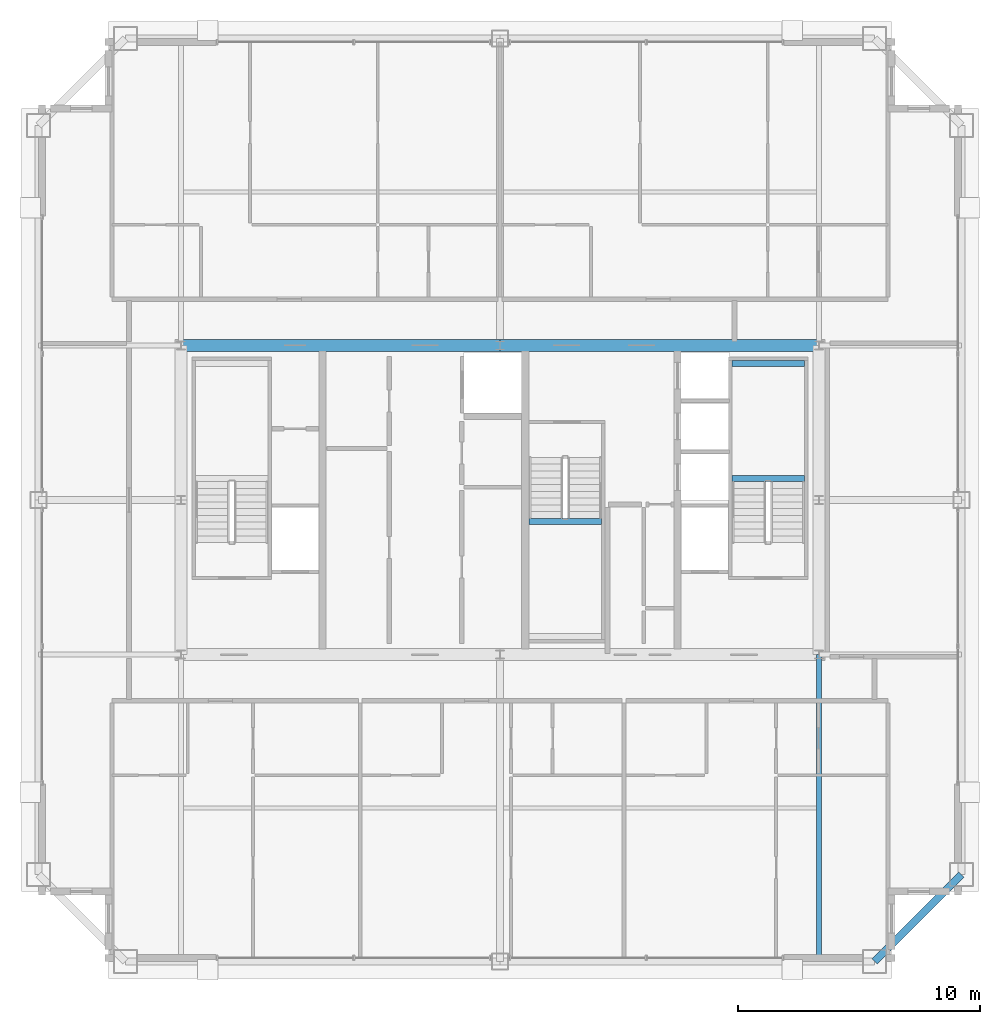
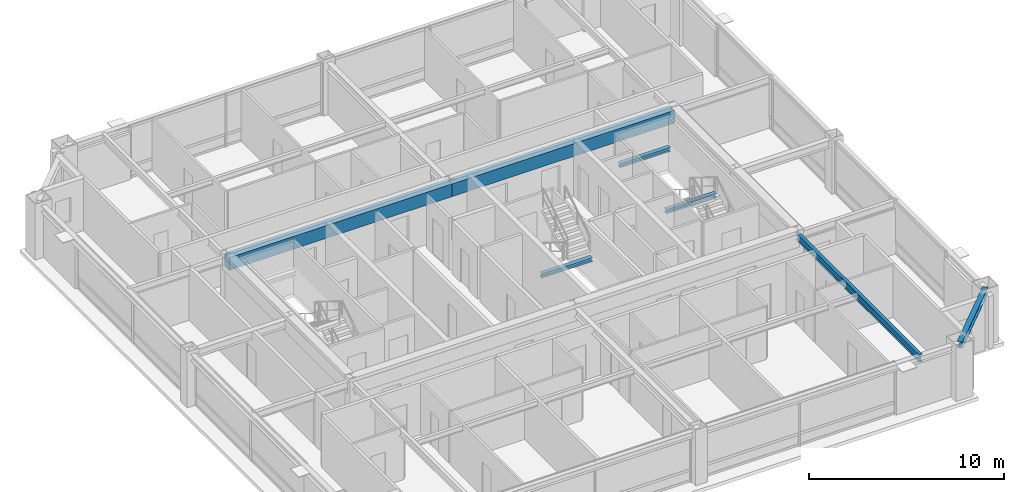
# One storey, part 13 of 35: 7 beams.
"""IFC4 building model written with IfcOpenShell, lengths in metres."""

from ifc_helpers import new_model, si_unit, direction, frame, origin, origin_2d, place, context, subcontext, project, spatial, rectangle, i_section, extrude, source, transform, mapped, material, material_profile, profile_set, type_object, element, save


model = new_model("IFC4")

# Units and contexts
model_context = context("Model", 3, precision=1e-05, world=origin(), true_north=direction((0.0, 1.0)))
body_context = subcontext(model_context, "Body", "Model", "MODEL_VIEW")
ifc_project = project(units=[si_unit("LENGTHUNIT", "METRE"), si_unit("AREAUNIT", "SQUARE_METRE"), si_unit("VOLUMEUNIT", "CUBIC_METRE"), si_unit("PLANEANGLEUNIT", "RADIAN"), si_unit("MASSUNIT", "GRAM", prefix="KILO"), si_unit("THERMODYNAMICTEMPERATUREUNIT", "KELVIN"), si_unit("POWERUNIT", "WATT")], contexts=[model_context])

# Site, building, storey
site_placement = place(None, origin())
site = spatial("IfcSite", under=ifc_project, at=site_placement, CompositionType="ELEMENT")
building_placement = place(site_placement, origin())
building = spatial("IfcBuilding", under=site, at=building_placement, Name="Yuzanri Waterfront Tower", CompositionType="ELEMENT")
storey_placement = place(building_placement, frame((0.0, 0.0, 318.199951171875)))
storey = spatial("IfcBuildingStorey", under=building, at=storey_placement, Name="L85", CompositionType="ELEMENT", Elevation=318.199951171875)

# Beams
ifc_material_1 = material(Name="Concrete C50", Category="concrete")
ifc_material_profile_1 = material_profile(ifc_material_1, rectangle(XDim=0.5, YDim=0.800048828125, at=origin_2d()), Name="RC 500x800")
ifc_profile_set_1 = profile_set([ifc_material_profile_1], Name="Concrete C50")
beam_type_1 = type_object("IfcBeamType", Name="Core Coupling Lintel Concrete C50 500x800", PredefinedType="LINTEL", material=ifc_profile_set_1)
shared_shape_1 = source(origin(), body_context, "Body", "SweptSolid", [
    extrude(rectangle(XDim=0.5, YDim=0.800048828125, at=origin_2d()), origin(), (0.0, 0.0, 1.0), 13.199951171875),
])
for number, where, z_axis, x_axis, name in (
    (1, (23.800048828125, 32.199951171875, 2.880126953125), (1.0, 0.0, 0.0), (0.0, 1.0, 0.0), "L85 Core Tie Beam CN1"),
    (2, (37.0, 32.199951171875, 2.880126953125), (1.0, 0.0, 0.0), (0.0, 1.0, 0.0), "L85 Core Tie Beam CN2"),
):
    element("IfcBeam", number, at=place(storey_placement, frame(where, z_axis=z_axis, x_axis=x_axis)), inside=storey, type_object=beam_type_1, Name=name, PredefinedType="LINTEL", context=body_context, shape_type="MappedRepresentation", body=[
        mapped(shared_shape_1, transform((0.0, 0.0, 0.0), scale=1.0)),
    ])
ifc_material_2 = material(Name="Steel Q355B", Category="steel")
ifc_material_profile_2 = material_profile(ifc_material_2, i_section(OverallWidth=0.300048828125, OverallDepth=0.389892578125, WebThickness=0.010009765625, FlangeThickness=0.01611328125, at=origin_2d()), Name="HM 390x300x10x16")
ifc_profile_set_2 = profile_set([ifc_material_profile_2], Name="Steel Q355B")
beam_type_2 = type_object("IfcBeamType", Name="Perimeter Spandrel Q355B HM 390x300", PredefinedType="SPANDREL", material=ifc_profile_set_2)
shared_shape_2 = source(origin(), body_context, "Body", "SweptSolid", [
    extrude(i_section(OverallWidth=0.300048828125, OverallDepth=0.389892578125, WebThickness=0.010009765625, FlangeThickness=0.01611328125, at=origin_2d()), origin(), (0.0, 0.0, 1.0), 5.09130859375),
])
beam_1_placement = place(storey_placement, frame((52.5, 6.699951171875, 3.0849609375), z_axis=(0.707106781187, 0.707106781187, 0.0), x_axis=(-0.707106781187, 0.707106781187, 0.0)))
element("IfcBeam", 3, at=beam_1_placement, inside=storey, type_object=beam_type_2, Name="L85 Perimeter Spandrel S3-E1", PredefinedType="SPANDREL", context=body_context, shape_type="MappedRepresentation", body=[
    mapped(shared_shape_2, transform((0.0, 0.0, 0.0), scale=1.0)),
])
ifc_material_3 = material(Name="Steel Q355B", Category="steel")
ifc_material_profile_3 = material_profile(ifc_material_3, i_section(OverallWidth=0.199951171875, OverallDepth=0.449951171875, WebThickness=0.009033203125, FlangeThickness=0.013916015625, at=origin_2d()), Name="HN 450x200x9x14")
ifc_profile_set_3 = profile_set([ifc_material_profile_3], Name="Steel Q355B")
beam_type_3 = type_object("IfcBeamType", Name="Secondary Floor Beam Q355B HN 450x200", PredefinedType="BEAM", material=ifc_profile_set_3)
shared_shape_3 = source(origin(), body_context, "Body", "SweptSolid", [
    extrude(i_section(OverallWidth=0.199951171875, OverallDepth=0.449951171875, WebThickness=0.009033203125, FlangeThickness=0.013916015625, at=origin_2d()), origin(), (0.0, 0.0, 1.0), 12.699951171875),
])
beam_2_placement = place(storey_placement, frame((50.199951171875, 19.39990234375, 3.054931640625), z_axis=(0.0, -1.0, 0.0), x_axis=(1.0, 0.0, 0.0)))
element("IfcBeam", 4, at=beam_2_placement, inside=storey, type_object=beam_type_3, Name="L85 South-East Core Line Beam", PredefinedType="BEAM", context=body_context, shape_type="MappedRepresentation", body=[
    mapped(shared_shape_3, transform((0.0, 0.0, 0.0), scale=1.0)),
])
ifc_material_4 = material(Name="Steel Q355B", Category="steel")
ifc_material_profile_4 = material_profile(ifc_material_4, i_section(OverallWidth=0.25, OverallDepth=0.25, WebThickness=0.009033203125, FlangeThickness=0.013916015625, at=origin_2d()), Name="HW 250x250x9x14")
ifc_profile_set_4 = profile_set([ifc_material_profile_4], Name="Steel Q355B")
beam_type_4 = type_object("IfcBeamType", Name="Stair Landing Support Beam Q355B HW 250x250", PredefinedType="BEAM", material=ifc_profile_set_4)
shared_shape_4 = source(origin(), body_context, "Body", "SweptSolid", [
    extrude(i_section(OverallWidth=0.25, OverallDepth=0.25, WebThickness=0.009033203125, FlangeThickness=0.013916015625, at=origin_2d()), origin(), (0.0, 0.0, 1.0), 3.0),
])
for number, where, z_axis, x_axis, name in (
    (5, (46.60009765625, 26.68994140625, 1.425048828125), (1.0, 0.0, 0.0), (0.0, 1.0, 0.0), "L85 Stair Landing Support Beam ST-02-L85-L1-1"),
    (6, (46.60009765625, 31.449951171875, 1.425048828125), (1.0, 0.0, 0.0), (0.0, 1.0, 0.0), "L85 Stair Landing Support Beam ST-02-L85-L1-2"),
    (7, (38.199951171875, 24.909912109375, 1.425048828125), (1.0, 0.0, 0.0), (0.0, 1.0, 0.0), "L85 Stair Landing Support Beam ST-03-L85-L1-2"),
):
    element("IfcBeam", number, at=place(storey_placement, frame(where, z_axis=z_axis, x_axis=x_axis)), inside=storey, type_object=beam_type_4, Name=name, PredefinedType="BEAM", context=body_context, shape_type="MappedRepresentation", body=[
        mapped(shared_shape_4, transform((0.0, 0.0, 0.0), scale=1.0)),
    ])

save(model, "model.ifc")
